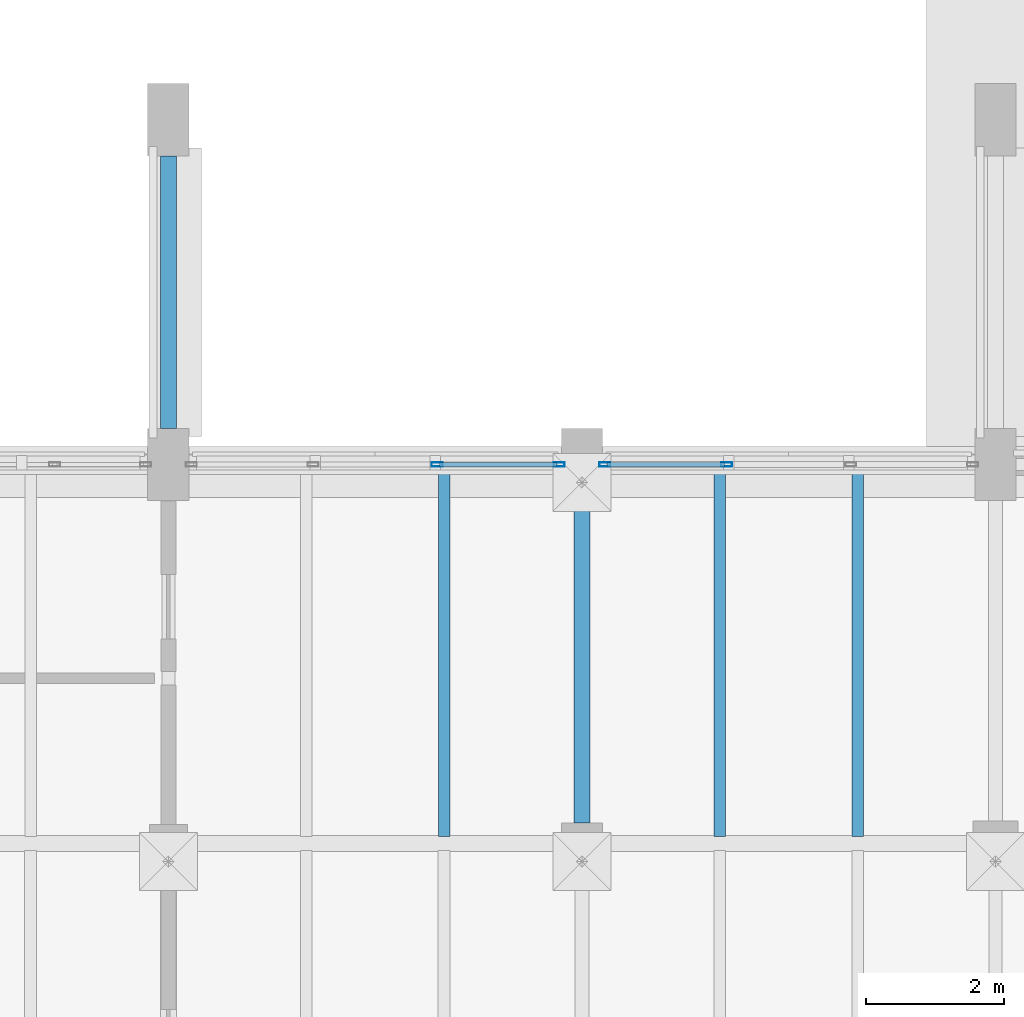
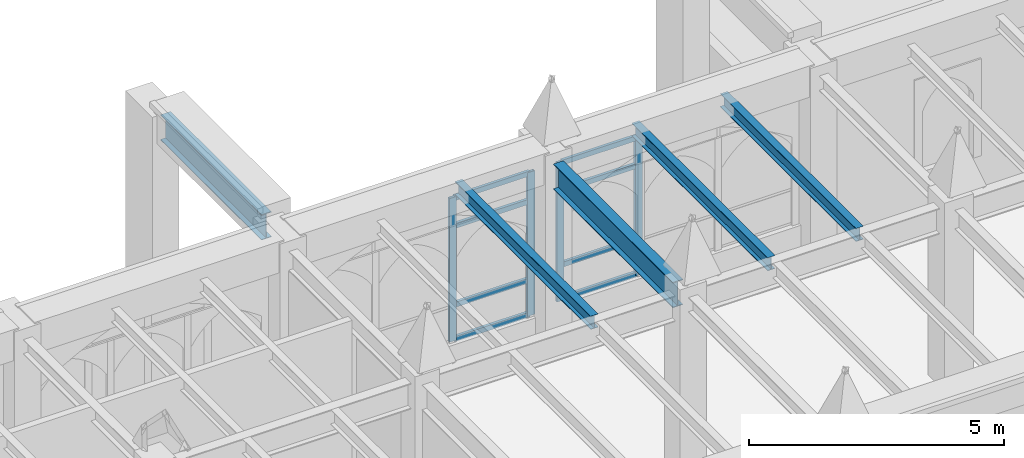
# One storey, part 59 of 143: 12 members, 5 beams, 2 elements without a shape of their own.
"""IFC4 building model written with IfcOpenShell, lengths in metres."""

from ifc_helpers import new_model, si_unit, direction, frame, origin, origin_2d, place, context, subcontext, project, spatial, hollow_rectangle, i_section, extrude, material, layer, layer_set, material_profile, profile_set, type_object, element, aggregate, save


model = new_model("IFC4")

# Units and contexts
model_context = context("Model", 3, precision=1e-05, world=origin(), true_north=direction((0.0, 1.0)))
body_context = subcontext(model_context, "Body", "Model", "MODEL_VIEW")
ifc_project = project(units=[si_unit("LENGTHUNIT", "METRE"), si_unit("AREAUNIT", "SQUARE_METRE"), si_unit("VOLUMEUNIT", "CUBIC_METRE"), si_unit("PLANEANGLEUNIT", "RADIAN"), si_unit("MASSUNIT", "GRAM", prefix="KILO")], contexts=[model_context])

# Site, building, storey
site_placement = place(None, origin())
site = spatial("IfcSite", under=ifc_project, at=site_placement, CompositionType="ELEMENT")
building_placement = place(site_placement, origin())
building = spatial("IfcBuilding", under=site, at=building_placement, Name="Cumevento Cable Car Station", CompositionType="ELEMENT")
storey_placement = place(building_placement, frame((0.0, 0.0, 9.0)))
storey = spatial("IfcBuildingStorey", under=building, at=storey_placement, Name="L03", CompositionType="ELEMENT", Elevation=9.0)

# Curtain wall, members
ifc_material_1 = material(Name="Anodised Bronze Aluminium AW-6063-T6", Category="aluminium")
ifc_layer_1 = layer(ifc_material_1, 0.238037109375)
ifc_layer_set_1 = layer_set([ifc_layer_1], Name="Anodised Bronze Aluminium AW-6063-T6")
curtain_wall_type_1 = type_object("IfcCurtainWallType", Name="Lancet Curtain Wall CW-14 1570", PredefinedType="NOTDEFINED", material=ifc_layer_set_1)
curtain_wall_1_placement = place(storey_placement, origin())
curtain_wall_1 = element("IfcCurtainWall", 1, at=curtain_wall_1_placement, inside=storey, type_object=curtain_wall_type_1, Name="Lancet Curtain Wall CW-14 L03 #109", PredefinedType="NOTDEFINED")
ifc_material_2 = material(Name="Anodised Bronze Aluminium AW-6063-T6", Category="aluminium")
ifc_material_profile_1 = material_profile(ifc_material_2, hollow_rectangle(XDim=0.06494140625, YDim=0.159912109375, WallThickness=0.00390625, at=origin_2d()), Name="ALUM65x160x4")
ifc_profile_set_1 = profile_set([ifc_material_profile_1], Name="Anodised Bronze Aluminium AW-6063-T6")
member_type_1 = type_object("IfcMemberType", Name="Curtain Mullion CWM-01 ALUM65x160x4", PredefinedType="MULLION", material=ifc_profile_set_1)
member_1_placement = place(storey_placement, frame((91.89990234375, 56.5, 0.409912109375), z_axis=(0.0, 0.0, 1.0), x_axis=(0.0, 1.0, 0.0)))
member_1 = element("IfcMember", 2, at=member_1_placement, type_object=member_type_1, Name="CW-14 mullion 3", PredefinedType="MULLION", context=body_context, shape_type="SweptSolid", body=[
    extrude(hollow_rectangle(XDim=0.06494140625, YDim=0.159912109375, WallThickness=0.00390625, at=origin_2d()), origin(), (0.0, 0.0, 1.0), 3.43505859375),
])
member_2_placement = place(storey_placement, frame((93.66748046875, 56.5, 0.409912109375), z_axis=(0.0, 0.0, 1.0), x_axis=(0.0, 1.0, 0.0)))
member_2 = element("IfcMember", 3, at=member_2_placement, type_object=member_type_1, Name="CW-14 mullion 4", PredefinedType="MULLION", context=body_context, shape_type="SweptSolid", body=[
    extrude(hollow_rectangle(XDim=0.06494140625, YDim=0.159912109375, WallThickness=0.00390625, at=origin_2d()), origin(), (0.0, 0.0, 1.0), 3.43505859375),
])

ifc_material_3 = material(Name="Anodised Bronze Aluminium AW-6063-T6", Category="aluminium")
ifc_layer_2 = layer(ifc_material_3, 0.25)
ifc_layer_set_2 = layer_set([ifc_layer_2], Name="Anodised Bronze Aluminium AW-6063-T6")
curtain_wall_type_2 = type_object("IfcCurtainWallType", Name="Lancet Curtain Wall CW-16 1650", PredefinedType="NOTDEFINED", material=ifc_layer_set_2)
curtain_wall_2_placement = place(storey_placement, origin())
curtain_wall_2 = element("IfcCurtainWall", 4, at=curtain_wall_2_placement, inside=storey, type_object=curtain_wall_type_2, Name="Lancet Curtain Wall CW-16 L03 #111", PredefinedType="NOTDEFINED")
member_3_placement = place(storey_placement, frame((94.33251953125, 56.5, 0.52001953125), z_axis=(0.0, 0.0, 1.0), x_axis=(0.0, 1.0, 0.0)))
member_3 = element("IfcMember", 5, at=member_3_placement, type_object=member_type_1, Name="CW-16 mullion 1", PredefinedType="MULLION", context=body_context, shape_type="SweptSolid", body=[
    extrude(hollow_rectangle(XDim=0.06494140625, YDim=0.159912109375, WallThickness=0.00390625, at=origin_2d()), origin(), (0.0, 0.0, 1.0), 3.324951171875),
])
member_4_placement = place(storey_placement, frame((96.10009765625, 56.5, 0.52001953125), z_axis=(0.0, 0.0, 1.0), x_axis=(0.0, 1.0, 0.0)))
member_4 = element("IfcMember", 6, at=member_4_placement, type_object=member_type_1, Name="CW-16 mullion 2", PredefinedType="MULLION", context=body_context, shape_type="SweptSolid", body=[
    extrude(hollow_rectangle(XDim=0.06494140625, YDim=0.159912109375, WallThickness=0.00390625, at=origin_2d()), origin(), (0.0, 0.0, 1.0), 3.324951171875),
])

# Member
ifc_material_4 = material(Name="Anodised Bronze Aluminium AW-6063-T6", Category="aluminium")
ifc_material_profile_2 = material_profile(ifc_material_4, hollow_rectangle(XDim=0.06494140625, YDim=0.1201171875, WallThickness=0.00390625, at=origin_2d()), Name="ALUT65x120x4")
ifc_profile_set_2 = profile_set([ifc_material_profile_2], Name="Anodised Bronze Aluminium AW-6063-T6")
member_type_2 = type_object("IfcMemberType", Name="Curtain Transom CWT-01 ALUT65x120x4", PredefinedType="USERDEFINED", material=ifc_profile_set_2)
member_5_placement = place(storey_placement, frame((91.9326171875, 56.5, 0.4423828125), z_axis=(1.0, 0.0, 0.0), x_axis=(0.0, 1.0, 0.0)))
member_5 = element("IfcMember", 7, at=member_5_placement, type_object=member_type_2, Name="CW-14 transom 3.1", ObjectType="TRANSOM", PredefinedType="USERDEFINED", context=body_context, shape_type="SweptSolid", body=[
    extrude(hollow_rectangle(XDim=0.06494140625, YDim=0.1201171875, WallThickness=0.00390625, at=origin_2d()), origin(), (0.0, 0.0, 1.0), 1.702392578125),
])

member_6_placement = place(storey_placement, frame((91.9326171875, 56.5, 1.260009765625), z_axis=(1.0, 0.0, 0.0), x_axis=(0.0, 1.0, 0.0)))
member_6 = element("IfcMember", 8, at=member_6_placement, type_object=member_type_2, Name="CW-14 transom 3.2", ObjectType="TRANSOM", PredefinedType="USERDEFINED", context=body_context, shape_type="SweptSolid", body=[
    extrude(hollow_rectangle(XDim=0.06494140625, YDim=0.1201171875, WallThickness=0.00390625, at=origin_2d()), origin(), (0.0, 0.0, 1.0), 1.702392578125),
])

member_7_placement = place(storey_placement, frame((91.9326171875, 56.5, 3.14501953125), z_axis=(1.0, 0.0, 0.0), x_axis=(0.0, 1.0, 0.0)))
member_7 = element("IfcMember", 9, at=member_7_placement, type_object=member_type_2, Name="CW-14 transom 3.3", ObjectType="TRANSOM", PredefinedType="USERDEFINED", context=body_context, shape_type="SweptSolid", body=[
    extrude(hollow_rectangle(XDim=0.06494140625, YDim=0.1201171875, WallThickness=0.00390625, at=origin_2d()), origin(), (0.0, 0.0, 1.0), 1.702392578125),
])

member_8_placement = place(storey_placement, frame((91.9326171875, 56.5, 3.8125), z_axis=(1.0, 0.0, 0.0), x_axis=(0.0, 1.0, 0.0)))
member_8 = element("IfcMember", 10, at=member_8_placement, type_object=member_type_2, Name="CW-14 transom 3.4", ObjectType="TRANSOM", PredefinedType="USERDEFINED", context=body_context, shape_type="SweptSolid", body=[
    extrude(hollow_rectangle(XDim=0.06494140625, YDim=0.1201171875, WallThickness=0.00390625, at=origin_2d()), origin(), (0.0, 0.0, 1.0), 1.702392578125),
])

aggregate(curtain_wall_1, [member_1, member_2, member_5, member_6, member_7, member_8])

member_9_placement = place(storey_placement, frame((94.364990234375, 56.5, 0.552490234375), z_axis=(1.0, 0.0, 0.0), x_axis=(0.0, 1.0, 0.0)))
member_9 = element("IfcMember", 11, at=member_9_placement, type_object=member_type_2, Name="CW-16 transom 1.1", ObjectType="TRANSOM", PredefinedType="USERDEFINED", context=body_context, shape_type="SweptSolid", body=[
    extrude(hollow_rectangle(XDim=0.06494140625, YDim=0.1201171875, WallThickness=0.00390625, at=origin_2d()), origin(), (0.0, 0.0, 1.0), 1.702392578125),
])

member_10_placement = place(storey_placement, frame((94.364990234375, 56.5, 1.3701171875), z_axis=(1.0, 0.0, 0.0), x_axis=(0.0, 1.0, 0.0)))
member_10 = element("IfcMember", 12, at=member_10_placement, type_object=member_type_2, Name="CW-16 transom 1.2", ObjectType="TRANSOM", PredefinedType="USERDEFINED", context=body_context, shape_type="SweptSolid", body=[
    extrude(hollow_rectangle(XDim=0.06494140625, YDim=0.1201171875, WallThickness=0.00390625, at=origin_2d()), origin(), (0.0, 0.0, 1.0), 1.702392578125),
])

member_11_placement = place(storey_placement, frame((94.364990234375, 56.5, 3.14501953125), z_axis=(1.0, 0.0, 0.0), x_axis=(0.0, 1.0, 0.0)))
member_11 = element("IfcMember", 13, at=member_11_placement, type_object=member_type_2, Name="CW-16 transom 1.3", ObjectType="TRANSOM", PredefinedType="USERDEFINED", context=body_context, shape_type="SweptSolid", body=[
    extrude(hollow_rectangle(XDim=0.06494140625, YDim=0.1201171875, WallThickness=0.00390625, at=origin_2d()), origin(), (0.0, 0.0, 1.0), 1.702392578125),
])

member_12_placement = place(storey_placement, frame((94.364990234375, 56.5, 3.8125), z_axis=(1.0, 0.0, 0.0), x_axis=(0.0, 1.0, 0.0)))
member_12 = element("IfcMember", 14, at=member_12_placement, type_object=member_type_2, Name="CW-16 transom 1.4", ObjectType="TRANSOM", PredefinedType="USERDEFINED", context=body_context, shape_type="SweptSolid", body=[
    extrude(hollow_rectangle(XDim=0.06494140625, YDim=0.1201171875, WallThickness=0.00390625, at=origin_2d()), origin(), (0.0, 0.0, 1.0), 1.702392578125),
])

aggregate(curtain_wall_2, [member_3, member_4, member_9, member_10, member_11, member_12])

# Beams
ifc_material_5 = material(Name="Steel ASTM A572 Grade 50", Category="steel")
ifc_material_profile_3 = material_profile(ifc_material_5, i_section(OverallWidth=0.22802734375, OverallDepth=0.60791015625, WebThickness=0.01123046875, FlangeThickness=0.017333984375, at=origin_2d()), Name="W610x113.0")
ifc_profile_set_3 = profile_set([ifc_material_profile_3], Name="Steel ASTM A572 Grade 50")
beam_type_1 = type_object("IfcBeamType", Name="Structural Beam BM-02 W610x113.0", PredefinedType="BEAM", material=ifc_profile_set_3)
beam_1_placement = place(storey_placement, frame((94.0, 51.300048828125, 3.947998046875), z_axis=(0.0, 1.0, 0.0), x_axis=(-1.0, 0.0, 0.0)))
element("IfcBeam", 15, at=beam_1_placement, inside=storey, type_object=beam_type_1, Name="Beam BM-02 L03 #1099", PredefinedType="BEAM", context=body_context, shape_type="SweptSolid", body=[
    extrude(i_section(OverallWidth=0.22802734375, OverallDepth=0.60791015625, WebThickness=0.01123046875, FlangeThickness=0.017333984375, at=origin_2d()), origin(), (0.0, 0.0, 1.0), 4.675048828125),
])
beam_2_placement = place(storey_placement, frame((88.0, 57.02490234375, 4.196044921875), z_axis=(0.0, 1.0, 0.0), x_axis=(-1.0, 0.0, 0.0)))
element("IfcBeam", 16, at=beam_2_placement, inside=storey, type_object=beam_type_1, Name="North Uphill Summit Ropeway Cabin Portal Buttress Tie Girder L03 #83", PredefinedType="BEAM", context=body_context, shape_type="SweptSolid", body=[
    extrude(i_section(OverallWidth=0.22802734375, OverallDepth=0.60791015625, WebThickness=0.01123046875, FlangeThickness=0.017333984375, at=origin_2d()), origin(), (0.0, 0.0, 1.0), 3.9501953125),
])
ifc_material_6 = material(Name="Steel ASTM A572 Grade 50", Category="steel")
ifc_material_profile_4 = material_profile(ifc_material_6, i_section(OverallWidth=0.1669921875, OverallDepth=0.31689453125, WebThickness=0.007568359375, FlangeThickness=0.01318359375, at=origin_2d()), Name="W310x52.0")
ifc_profile_set_4 = profile_set([ifc_material_profile_4], Name="Steel ASTM A572 Grade 50")
beam_type_2 = type_object("IfcBeamType", Name="Structural Joist JS-02 W310x52.0", PredefinedType="JOIST", material=ifc_profile_set_4)
for number, where, z_axis, x_axis, name in (
    (17, (92.0, 51.10302734375, 4.093505859375), (0.0, 1.0, 0.0), (-1.0, 0.0, 0.0), "Composite Floor Joist JS-02 L03 #1267"),
    (18, (96.0, 51.10302734375, 4.093505859375), (0.0, 1.0, 0.0), (-1.0, 0.0, 0.0), "Composite Floor Joist JS-02 L03 #1269"),
    (19, (98.0, 51.10302734375, 4.093505859375), (0.0, 1.0, 0.0), (-1.0, 0.0, 0.0), "Composite Floor Joist JS-02 L03 #1271"),
):
    element("IfcBeam", number, at=place(storey_placement, frame(where, z_axis=z_axis, x_axis=x_axis)), inside=storey, type_object=beam_type_2, Name=name, PredefinedType="JOIST", context=body_context, shape_type="SweptSolid", body=[
        extrude(i_section(OverallWidth=0.1669921875, OverallDepth=0.31689453125, WebThickness=0.007568359375, FlangeThickness=0.01318359375, at=origin_2d()), origin(), (0.0, 0.0, 1.0), 5.320068359375),
    ])

save(model, "model.ifc")
